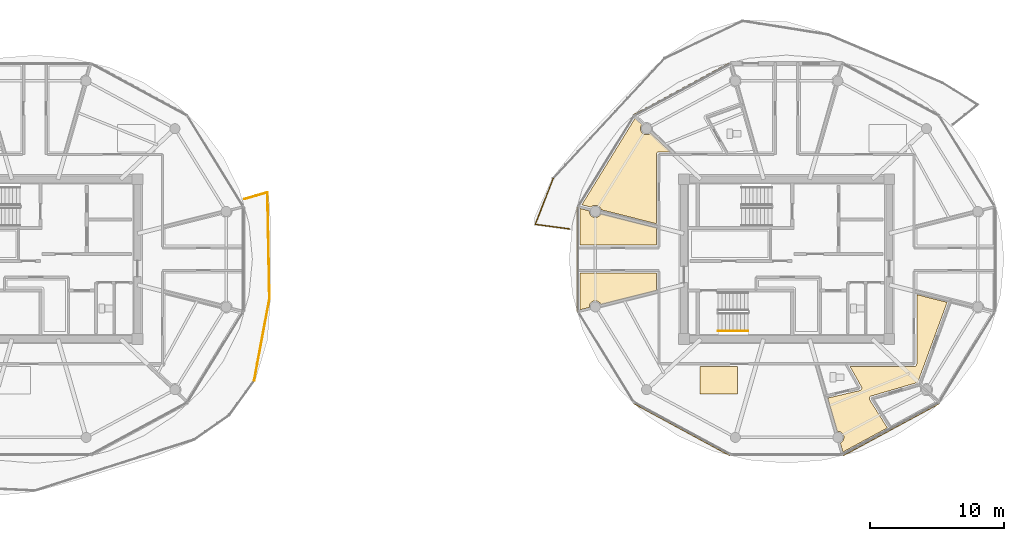
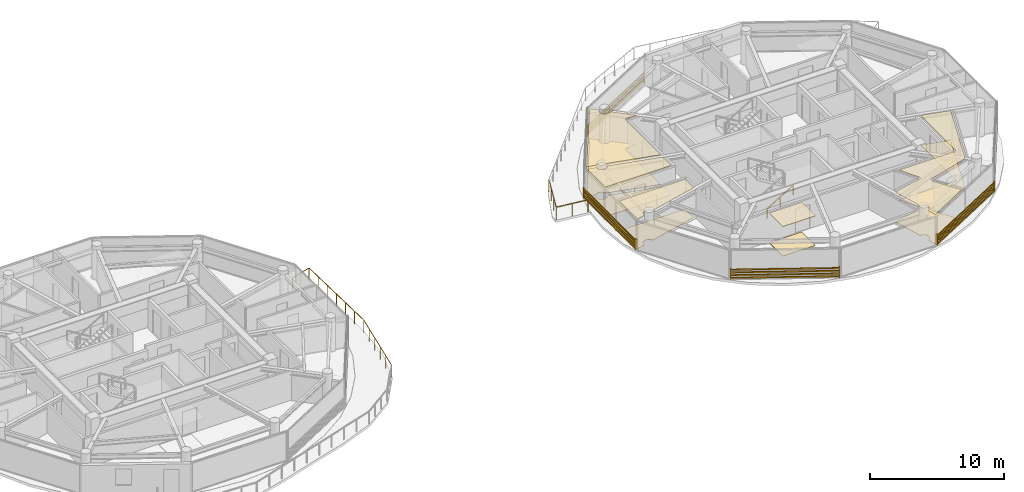
# One storey, part 18 of 21: 10 coverings, 4 shading devices, 3 railings.
"""IFC4 building model written with IfcOpenShell, lengths in metres."""

from ifc_helpers import new_model, si_unit, direction, frame, origin, origin_2d, place, context, subcontext, project, spatial, polyline, rectangle, outline, extrude, source, transform, mapped, material, layer, layer_set, type_object, type_shapes, element, save


model = new_model("IFC4")

# Units and contexts
model_context = context("Model", 3, precision=1e-05, world=origin(), true_north=direction((0.0, 1.0)))
body_context = subcontext(model_context, "Body", "Model", "MODEL_VIEW")
ifc_project = project(units=[si_unit("LENGTHUNIT", "METRE"), si_unit("AREAUNIT", "SQUARE_METRE"), si_unit("VOLUMEUNIT", "CUBIC_METRE"), si_unit("PLANEANGLEUNIT", "RADIAN"), si_unit("MASSUNIT", "GRAM", prefix="KILO")], contexts=[model_context])

# Site, building, storey
site_placement = place(None, origin())
site = spatial("IfcSite", under=ifc_project, at=site_placement, CompositionType="ELEMENT")
building_placement = place(site_placement, origin())
building = spatial("IfcBuilding", under=site, at=building_placement, Name="Norrkilde Senior Care Towers", CompositionType="ELEMENT")
storey_placement = place(building_placement, frame((0.0, 0.0, 241.35009765625)))
storey = spatial("IfcBuildingStorey", under=building, at=storey_placement, Name="L75", CompositionType="ELEMENT", Elevation=241.35009765625)

# Coverings
ifc_material_1 = material(Name="Nordic Ash Timber", Category="wood")
ifc_layer_1 = layer(ifc_material_1, 0.044921875)
ifc_layer_set_1 = layer_set([ifc_layer_1], Name="Nordic Ash Timber")
covering_type_1 = type_object("IfcCoveringType", Name="Acoustic Ash Timber Slatted Ceiling 45", PredefinedType="CEILING", material=ifc_layer_set_1)
covering_1_placement = place(storey_placement, frame((0.0, 0.0, 2.684814453125)))
element("IfcCovering", 1, at=covering_1_placement, inside=storey, type_object=covering_type_1, Name="L75 Suspended Ceiling 0481", PredefinedType="CEILING", context=body_context, shape_type="SweptSolid", body=[
    extrude(outline(polyline([(18.300048828125, -1.0400390625), (18.300048828125, -2.331298828125), (14.165771484375, -3.377685546875), (14.146728515625, -3.331298828125), (14.07421875, -3.237060546875), (13.97998046875, -3.164794921875), (13.870361328125, -3.119384765625), (13.752685546875, -3.103759765625), (13.634765625, -3.119384765625), (13.525146484375, -3.164794921875), (13.430908203125, -3.237060546875), (13.358642578125, -3.331298828125), (13.31298828125, -3.44091796875), (13.297607421875, -3.558837890625), (13.302490234375, -3.59619140625), (12.62646484375, -3.76708984375), (12.62646484375, -1.0400390625), (18.300048828125, -1.0400390625)])), origin(), (0.0, 0.0, 1.0), 0.045166015625),
])
covering_2_placement = place(storey_placement, frame((0.0, 0.0, 2.684814453125)))
element("IfcCovering", 2, at=covering_2_placement, inside=storey, type_object=covering_type_1, Name="L75 Suspended Ceiling 0482", PredefinedType="CEILING", context=body_context, shape_type="SweptSolid", body=[
    extrude(outline(polyline([(18.300048828125, 1.0400390625), (12.62646484375, 1.0400390625), (12.62646484375, 3.76708984375), (13.302490234375, 3.59619140625), (13.297607421875, 3.558837890625), (13.31298828125, 3.44091796875), (13.358642578125, 3.331298828125), (13.430908203125, 3.237060546875), (13.525146484375, 3.164794921875), (13.634765625, 3.119384765625), (13.752685546875, 3.103759765625), (13.870361328125, 3.119384765625), (13.97998046875, 3.164794921875), (14.07421875, 3.237060546875), (14.146728515625, 3.331298828125), (14.165771484375, 3.377685546875), (18.300048828125, 2.331298828125), (18.300048828125, 1.0400390625)])), origin(), (0.0, 0.0, 1.0), 0.045166015625),
])
covering_3_placement = place(storey_placement, frame((0.0, 0.0, 2.684814453125)))
element("IfcCovering", 3, at=covering_3_placement, inside=storey, type_object=covering_type_1, Name="L75 Suspended Ceiling 0490", PredefinedType="CEILING", context=body_context, shape_type="SweptSolid", body=[
    extrude(outline(polyline([(18.455322265625, 7.994873046875), (18.447509765625, 7.992919921875), (18.436279296875, 7.989501953125), (18.428955078125, 7.98681640625), (18.41796875, 7.982421875), (18.410888671875, 7.97900390625), (18.400634765625, 7.973388671875), (18.393798828125, 7.969482421875), (18.384033203125, 7.962890625), (18.377685546875, 7.958251953125), (18.36865234375, 7.95068359375), (18.36279296875, 7.945556640625), (18.3544921875, 7.937255859375), (18.34912109375, 7.931396484375), (18.341796875, 7.92236328125), (18.337158203125, 7.916015625), (18.33056640625, 7.90625), (18.326416015625, 7.8994140625), (18.321044921875, 7.888916015625), (18.317626953125, 7.8818359375), (18.31298828125, 7.87109375), (18.310546875, 7.86376953125), (18.30712890625, 7.852294921875), (18.30517578125, 7.8447265625), (18.302734375, 7.833251953125), (18.3017578125, 7.825439453125), (18.300537109375, 7.813720703125), (18.300048828125, 7.805908203125), (18.300048828125, 7.800048828125), (18.300048828125, 2.640625), (14.190185546875, 3.680908203125), (14.146728515625, 3.786376953125), (14.07421875, 3.880615234375), (13.97998046875, 3.952880859375), (13.870361328125, 3.998291015625), (13.752685546875, 4.013671875), (13.634765625, 3.998291015625), (13.525146484375, 3.952880859375), (13.430908203125, 3.880615234375), (13.426025390625, 3.874267578125), (12.74267578125, 4.04736328125), (16.71337890625, 10.495849609375), (17.224365234375, 10.01318359375), (17.176025390625, 9.9501953125), (17.130615234375, 9.840576171875), (17.115234375, 9.72265625), (17.130615234375, 9.60498046875), (17.176025390625, 9.4951171875), (17.24853515625, 9.40087890625), (17.3427734375, 9.32861328125), (17.452392578125, 9.283203125), (17.570068359375, 9.267822265625), (17.68798828125, 9.283203125), (17.797607421875, 9.32861328125), (17.88134765625, 9.392822265625), (19.355712890625, 8.0), (18.5, 8.0), (18.494140625, 7.999755859375), (18.486328125, 7.99951171875), (18.474609375, 7.998291015625), (18.466796875, 7.9970703125), (18.455322265625, 7.994873046875)])), origin(), (0.0, 0.0, 1.0), 0.045166015625),
])
covering_4_placement = place(storey_placement, frame((0.0, 0.0, 2.684814453125)))
element("IfcCovering", 4, at=covering_4_placement, inside=storey, type_object=covering_type_1, Name="L75 Suspended Ceiling 0491", PredefinedType="CEILING", context=body_context, shape_type="SweptSolid", body=[
    extrude(outline(polyline([(24.345703125, -10.033935546875), (21.545654296875, -10.033935546875), (21.545654296875, -8.0), (24.345703125, -8.0), (24.345703125, -10.033935546875)])), origin(), (0.0, 0.0, 1.0), 0.045166015625),
])
covering_5_placement = place(storey_placement, frame((0.0, 0.0, 2.684814453125)))
element("IfcCovering", 5, at=covering_5_placement, inside=storey, type_object=covering_type_1, Name="L75 Suspended Ceiling 0492", PredefinedType="CEILING", context=body_context, shape_type="SweptSolid", body=[
    extrude(outline(polyline([(33.498291015625, -9.7734375), (33.50439453125, -9.770263671875), (33.514404296875, -9.764404296875), (33.520263671875, -9.7607421875), (33.52978515625, -9.75390625), (33.53515625, -9.749755859375), (33.5439453125, -9.7421875), (33.548828125, -9.7373046875), (33.556884765625, -9.728759765625), (33.561279296875, -9.7236328125), (33.568603515625, -9.71435546875), (33.572509765625, -9.708740234375), (33.57861328125, -9.69873046875), (33.58203125, -9.69287109375), (33.587158203125, -9.682373046875), (33.58984375, -9.67626953125), (33.593994140625, -9.665283203125), (33.59619140625, -9.65869140625), (33.599365234375, -9.6474609375), (33.600830078125, -9.640869140625), (33.602783203125, -9.629150390625), (33.603515625, -9.62255859375), (33.6044921875, -9.61083984375), (33.6044921875, -9.60400390625), (33.604248046875, -9.59228515625), (33.603759765625, -9.58544921875), (33.602294921875, -9.57373046875), (33.601318359375, -9.567138671875), (33.5986328125, -9.5556640625), (33.596923828125, -9.549072265625), (33.59326171875, -9.5380859375), (33.5908203125, -9.531494140625), (33.5859375, -9.520751953125), (33.5830078125, -9.5146484375), (33.580078125, -9.509521484375), (32.72900390625, -8.0), (37.5, -8.0), (37.505859375, -7.999755859375), (37.513671875, -7.99951171875), (37.525390625, -7.998291015625), (37.533203125, -7.9970703125), (37.544677734375, -7.994873046875), (37.552490234375, -7.992919921875), (37.563720703125, -7.989501953125), (37.571044921875, -7.98681640625), (37.58203125, -7.982421875), (37.589111328125, -7.97900390625), (37.599365234375, -7.973388671875), (37.606201171875, -7.969482421875), (37.615966796875, -7.962890625), (37.622314453125, -7.958251953125), (37.63134765625, -7.95068359375), (37.63720703125, -7.945556640625), (37.6455078125, -7.937255859375), (37.65087890625, -7.931396484375), (37.658203125, -7.92236328125), (37.662841796875, -7.916015625), (37.66943359375, -7.90625), (37.673583984375, -7.8994140625), (37.678955078125, -7.888916015625), (37.682373046875, -7.8818359375), (37.68701171875, -7.87109375), (37.689453125, -7.86376953125), (37.69287109375, -7.852294921875), (37.69482421875, -7.8447265625), (37.697265625, -7.833251953125), (37.6982421875, -7.825439453125), (37.699462890625, -7.813720703125), (37.699951171875, -7.805908203125), (37.699951171875, -7.800048828125), (37.699951171875, -2.640625), (39.961669921875, -3.213134765625), (37.77587890625, -9.185302734375), (34.30224609375, -10.19775390625), (34.296630859375, -10.199462890625), (34.290283203125, -10.201904296875), (34.279296875, -10.2060546875), (34.273193359375, -10.208984375), (34.2626953125, -10.21435546875), (34.2568359375, -10.2177734375), (34.2470703125, -10.22412109375), (34.241455078125, -10.22802734375), (34.232421875, -10.2353515625), (34.227294921875, -10.239990234375), (34.218994140625, -10.248046875), (34.21435546875, -10.2529296875), (34.206787109375, -10.261962890625), (34.20263671875, -10.267333984375), (34.196044921875, -10.27685546875), (34.1923828125, -10.28271484375), (34.186767578125, -10.29296875), (34.18359375, -10.299072265625), (34.178955078125, -10.309814453125), (34.176513671875, -10.316162109375), (34.1728515625, -10.3271484375), (34.171142578125, -10.333740234375), (34.168701171875, -10.34521484375), (34.16748046875, -10.351806640625), (34.166259765625, -10.363525390625), (34.165771484375, -10.370361328125), (34.16552734375, -10.382080078125), (34.16552734375, -10.388916015625), (34.16650390625, -10.400390625), (34.167236328125, -10.4072265625), (34.16943359375, -10.418701171875), (34.1708984375, -10.42529296875), (34.174072265625, -10.4365234375), (34.176025390625, -10.443115234375), (34.180419921875, -10.453857421875), (34.18310546875, -10.460205078125), (34.188232421875, -10.470703125), (34.191650390625, -10.4765625), (34.194580078125, -10.481689453125), (35.51318359375, -12.5712890625), (32.19970703125, -14.364990234375), (32.008544921875, -13.690673828125), (32.045166015625, -13.675537109375), (32.139404296875, -13.603271484375), (32.211669921875, -13.509033203125), (32.257080078125, -13.399169921875), (32.2724609375, -13.281494140625), (32.257080078125, -13.163818359375), (32.211669921875, -13.053955078125), (32.139404296875, -12.959716796875), (32.045166015625, -12.887451171875), (31.935302734375, -12.842041015625), (31.817626953125, -12.826416015625), (31.76513671875, -12.833251953125), (31.060546875, -10.34912109375), (33.4580078125, -9.787841796875), (33.463623046875, -9.786376953125), (33.47021484375, -9.78466796875), (33.481201171875, -9.78076171875), (33.487548828125, -9.7783203125), (33.498291015625, -9.7734375)])), origin(), (0.0, 0.0, 1.0), 0.045166015625),
])

# Railings
ifc_material_2 = material(Name="Anodised Aluminium", Category="aluminium")
railing_type_1 = type_object("IfcRailingType", Name="Balcony Swirl Ribbon Guardrail 1150", PredefinedType="GUARDRAIL", material=ifc_material_2)
railing_1_placement = place(storey_placement, frame((11.8291015625, 2.2509765625, 0.0)))
element("IfcRailing", 6, at=railing_1_placement, inside=storey, type_object=railing_type_1, Name="L75 Perimeter Safety Guard 02", PredefinedType="GUARDRAIL", context=body_context, shape_type="SweptSolid", body=[
    extrude(rectangle(XDim=0.048095703125, YDim=0.048095703125, at=origin_2d()), frame((0.0, 0.0, 1.1259765625), z_axis=(-0.991111497741, 0.133033826695, 0.0), x_axis=(-0.133033826695, -0.991111497741, 0.0)), (0.0, 0.0, 1.0), 2.531982421875),
    extrude(rectangle(XDim=0.048095703125, YDim=0.048095703125, at=origin_2d()), frame((-2.53515625, 0.38037109375, 1.1259765625), z_axis=(0.363691332788, 0.931519519095, 0.0), x_axis=(-0.931519519095, 0.363691332788, 0.0)), (0.0, 0.0, 1.0), 3.63916015625),
    extrude(rectangle(XDim=0.0419921875, YDim=0.0419921875, at=origin_2d()), origin(), (0.0, 0.0, 1.0), 1.099853515625),
    extrude(rectangle(XDim=0.0419921875, YDim=0.0419921875, at=origin_2d()), frame((-1.27490234375, 0.171142578125, 0.0)), (0.0, 0.0, 1.0), 1.099853515625),
    extrude(rectangle(XDim=0.0419921875, YDim=0.0419921875, at=origin_2d()), frame((-2.550048828125, 0.34228515625, 0.0)), (0.0, 0.0, 1.0), 1.099853515625),
    extrude(rectangle(XDim=0.0419921875, YDim=0.0419921875, at=origin_2d()), frame((-2.10400390625, 1.48486328125, 0.0)), (0.0, 0.0, 1.0), 1.099853515625),
    extrude(rectangle(XDim=0.0419921875, YDim=0.0419921875, at=origin_2d()), frame((-1.65771484375, 2.627685546875, 0.0)), (0.0, 0.0, 1.0), 1.099853515625),
    extrude(rectangle(XDim=0.0419921875, YDim=0.0419921875, at=origin_2d()), frame((-1.211669921875, 3.770263671875, 0.0)), (0.0, 0.0, 1.0), 1.099853515625),
])
railing_2_placement = place(storey_placement, frame((-12.38330078125, 4.47607421875, 0.0)))
element("IfcRailing", 7, at=railing_2_placement, inside=storey, type_object=railing_type_1, Name="L75 Perimeter Safety Guard 04", PredefinedType="GUARDRAIL", context=body_context, shape_type="SweptSolid", body=[
    extrude(rectangle(XDim=0.048095703125, YDim=0.048095703125, at=origin_2d()), frame((0.0, 0.0, 1.1259765625), z_axis=(0.959918523405, 0.280279197273, 0.0), x_axis=(-0.280279197273, 0.959918523405, 0.0)), (0.0, 0.0, 1.0), 1.73876953125),
    extrude(rectangle(XDim=0.048095703125, YDim=0.048095703125, at=origin_2d()), frame((1.708984375, 0.4580078125, 1.1259765625), z_axis=(0.018665553706, -0.999825783377, 0.0), x_axis=(0.999825783377, 0.018665553706, 0.0)), (0.0, 0.0, 1.0), 7.83154296875),
    extrude(rectangle(XDim=0.048095703125, YDim=0.048095703125, at=origin_2d()), frame((1.848388671875, -7.453369140625, 1.1259765625), z_axis=(-0.183030116097, -0.983107306758, 0.0), x_axis=(0.983107306758, -0.183030116097, 0.0)), (0.0, 0.0, 1.0), 6.15625),
    extrude(rectangle(XDim=0.0419921875, YDim=0.0419921875, at=origin_2d()), origin(), (0.0, 0.0, 1.0), 1.099853515625),
    extrude(rectangle(XDim=0.0419921875, YDim=0.0419921875, at=origin_2d()), frame((0.85400390625, 0.24951171875, 0.0)), (0.0, 0.0, 1.0), 1.099853515625),
    extrude(rectangle(XDim=0.0419921875, YDim=0.0419921875, at=origin_2d()), frame((1.708251953125, 0.498779296875, 0.0)), (0.0, 0.0, 1.0), 1.099853515625),
    extrude(rectangle(XDim=0.0419921875, YDim=0.0419921875, at=origin_2d()), frame((1.73291015625, -0.81982421875, 0.0)), (0.0, 0.0, 1.0), 1.099853515625),
    extrude(rectangle(XDim=0.0419921875, YDim=0.0419921875, at=origin_2d()), frame((1.757568359375, -2.138427734375, 0.0)), (0.0, 0.0, 1.0), 1.099853515625),
    extrude(rectangle(XDim=0.0419921875, YDim=0.0419921875, at=origin_2d()), frame((1.7822265625, -3.45703125, 0.0)), (0.0, 0.0, 1.0), 1.099853515625),
    extrude(rectangle(XDim=0.0419921875, YDim=0.0419921875, at=origin_2d()), frame((1.806640625, -4.77587890625, 0.0)), (0.0, 0.0, 1.0), 1.099853515625),
    extrude(rectangle(XDim=0.0419921875, YDim=0.0419921875, at=origin_2d()), frame((1.831298828125, -6.094482421875, 0.0)), (0.0, 0.0, 1.0), 1.099853515625),
    extrude(rectangle(XDim=0.0419921875, YDim=0.0419921875, at=origin_2d()), frame((1.85595703125, -7.4130859375, 0.0)), (0.0, 0.0, 1.0), 1.099853515625),
    extrude(rectangle(XDim=0.0419921875, YDim=0.0419921875, at=origin_2d()), frame((1.629150390625, -8.631591796875, 0.0)), (0.0, 0.0, 1.0), 1.099853515625),
    extrude(rectangle(XDim=0.0419921875, YDim=0.0419921875, at=origin_2d()), frame((1.40234375, -9.85009765625, 0.0)), (0.0, 0.0, 1.0), 1.099853515625),
    extrude(rectangle(XDim=0.0419921875, YDim=0.0419921875, at=origin_2d()), frame((1.17529296875, -11.068603515625, 0.0)), (0.0, 0.0, 1.0), 1.099853515625),
    extrude(rectangle(XDim=0.0419921875, YDim=0.0419921875, at=origin_2d()), frame((0.948486328125, -12.287109375, 0.0)), (0.0, 0.0, 1.0), 1.099853515625),
    extrude(rectangle(XDim=0.0419921875, YDim=0.0419921875, at=origin_2d()), frame((0.7216796875, -13.505615234375, 0.0)), (0.0, 0.0, 1.0), 1.099853515625),
])

# Coverings
ifc_material_3 = material(Name="Slip-Resistant Porcelain Stone", Category="masonry")
ifc_layer_2 = layer(ifc_material_3, 0.02490234375)
ifc_layer_set_2 = layer_set([ifc_layer_2], Name="Slip-Resistant Porcelain Stone")
covering_type_2 = type_object("IfcCoveringType", Name="Slip-Resistant Porcelain Flooring 25", PredefinedType="FLOORING", material=ifc_layer_set_2)
covering_6_placement = place(storey_placement, origin())
element("IfcCovering", 8, at=covering_6_placement, inside=storey, type_object=covering_type_2, Name="L75 Floor Finish 0481", PredefinedType="FLOORING", context=body_context, shape_type="SweptSolid", body=[
    extrude(outline(polyline([(18.300048828125, -1.0400390625), (18.300048828125, -2.331298828125), (14.165771484375, -3.377685546875), (14.146728515625, -3.331298828125), (14.07421875, -3.237060546875), (13.97998046875, -3.164794921875), (13.870361328125, -3.119384765625), (13.752685546875, -3.103759765625), (13.634765625, -3.119384765625), (13.525146484375, -3.164794921875), (13.430908203125, -3.237060546875), (13.358642578125, -3.331298828125), (13.31298828125, -3.44091796875), (13.297607421875, -3.558837890625), (13.302490234375, -3.59619140625), (12.62646484375, -3.76708984375), (12.62646484375, -1.0400390625), (18.300048828125, -1.0400390625)])), origin(), (0.0, 0.0, 1.0), 0.02490234375),
])
covering_7_placement = place(storey_placement, origin())
element("IfcCovering", 9, at=covering_7_placement, inside=storey, type_object=covering_type_2, Name="L75 Floor Finish 0482", PredefinedType="FLOORING", context=body_context, shape_type="SweptSolid", body=[
    extrude(outline(polyline([(18.300048828125, 1.0400390625), (12.62646484375, 1.0400390625), (12.62646484375, 3.76708984375), (13.302490234375, 3.59619140625), (13.297607421875, 3.558837890625), (13.31298828125, 3.44091796875), (13.358642578125, 3.331298828125), (13.430908203125, 3.237060546875), (13.525146484375, 3.164794921875), (13.634765625, 3.119384765625), (13.752685546875, 3.103759765625), (13.870361328125, 3.119384765625), (13.97998046875, 3.164794921875), (14.07421875, 3.237060546875), (14.146728515625, 3.331298828125), (14.165771484375, 3.377685546875), (18.300048828125, 2.331298828125), (18.300048828125, 1.0400390625)])), origin(), (0.0, 0.0, 1.0), 0.02490234375),
])
covering_8_placement = place(storey_placement, origin())
element("IfcCovering", 10, at=covering_8_placement, inside=storey, type_object=covering_type_2, Name="L75 Floor Finish 0490", PredefinedType="FLOORING", context=body_context, shape_type="SweptSolid", body=[
    extrude(outline(polyline([(18.455322265625, 7.994873046875), (18.447509765625, 7.992919921875), (18.436279296875, 7.989501953125), (18.428955078125, 7.98681640625), (18.41796875, 7.982421875), (18.410888671875, 7.97900390625), (18.400634765625, 7.973388671875), (18.393798828125, 7.969482421875), (18.384033203125, 7.962890625), (18.377685546875, 7.958251953125), (18.36865234375, 7.95068359375), (18.36279296875, 7.945556640625), (18.3544921875, 7.937255859375), (18.34912109375, 7.931396484375), (18.341796875, 7.92236328125), (18.337158203125, 7.916015625), (18.33056640625, 7.90625), (18.326416015625, 7.8994140625), (18.321044921875, 7.888916015625), (18.317626953125, 7.8818359375), (18.31298828125, 7.87109375), (18.310546875, 7.86376953125), (18.30712890625, 7.852294921875), (18.30517578125, 7.8447265625), (18.302734375, 7.833251953125), (18.3017578125, 7.825439453125), (18.300537109375, 7.813720703125), (18.300048828125, 7.805908203125), (18.300048828125, 7.800048828125), (18.300048828125, 2.640625), (14.190185546875, 3.680908203125), (14.146728515625, 3.786376953125), (14.07421875, 3.880615234375), (13.97998046875, 3.952880859375), (13.870361328125, 3.998291015625), (13.752685546875, 4.013671875), (13.634765625, 3.998291015625), (13.525146484375, 3.952880859375), (13.430908203125, 3.880615234375), (13.426025390625, 3.874267578125), (12.74267578125, 4.04736328125), (16.71337890625, 10.495849609375), (17.224365234375, 10.01318359375), (17.176025390625, 9.9501953125), (17.130615234375, 9.840576171875), (17.115234375, 9.72265625), (17.130615234375, 9.60498046875), (17.176025390625, 9.4951171875), (17.24853515625, 9.40087890625), (17.3427734375, 9.32861328125), (17.452392578125, 9.283203125), (17.570068359375, 9.267822265625), (17.68798828125, 9.283203125), (17.797607421875, 9.32861328125), (17.88134765625, 9.392822265625), (19.355712890625, 8.0), (18.5, 8.0), (18.494140625, 7.999755859375), (18.486328125, 7.99951171875), (18.474609375, 7.998291015625), (18.466796875, 7.9970703125), (18.455322265625, 7.994873046875)])), origin(), (0.0, 0.0, 1.0), 0.02490234375),
])
covering_9_placement = place(storey_placement, origin())
element("IfcCovering", 11, at=covering_9_placement, inside=storey, type_object=covering_type_2, Name="L75 Floor Finish 0491", PredefinedType="FLOORING", context=body_context, shape_type="SweptSolid", body=[
    extrude(outline(polyline([(24.345703125, -10.033935546875), (21.545654296875, -10.033935546875), (21.545654296875, -8.0), (24.345703125, -8.0), (24.345703125, -10.033935546875)])), origin(), (0.0, 0.0, 1.0), 0.02490234375),
])
covering_10_placement = place(storey_placement, origin())
element("IfcCovering", 12, at=covering_10_placement, inside=storey, type_object=covering_type_2, Name="L75 Floor Finish 0492", PredefinedType="FLOORING", context=body_context, shape_type="SweptSolid", body=[
    extrude(outline(polyline([(33.498291015625, -9.7734375), (33.50439453125, -9.770263671875), (33.514404296875, -9.764404296875), (33.520263671875, -9.7607421875), (33.52978515625, -9.75390625), (33.53515625, -9.749755859375), (33.5439453125, -9.7421875), (33.548828125, -9.7373046875), (33.556884765625, -9.728759765625), (33.561279296875, -9.7236328125), (33.568603515625, -9.71435546875), (33.572509765625, -9.708740234375), (33.57861328125, -9.69873046875), (33.58203125, -9.69287109375), (33.587158203125, -9.682373046875), (33.58984375, -9.67626953125), (33.593994140625, -9.665283203125), (33.59619140625, -9.65869140625), (33.599365234375, -9.6474609375), (33.600830078125, -9.640869140625), (33.602783203125, -9.629150390625), (33.603515625, -9.62255859375), (33.6044921875, -9.61083984375), (33.6044921875, -9.60400390625), (33.604248046875, -9.59228515625), (33.603759765625, -9.58544921875), (33.602294921875, -9.57373046875), (33.601318359375, -9.567138671875), (33.5986328125, -9.5556640625), (33.596923828125, -9.549072265625), (33.59326171875, -9.5380859375), (33.5908203125, -9.531494140625), (33.5859375, -9.520751953125), (33.5830078125, -9.5146484375), (33.580078125, -9.509521484375), (32.72900390625, -8.0), (37.5, -8.0), (37.505859375, -7.999755859375), (37.513671875, -7.99951171875), (37.525390625, -7.998291015625), (37.533203125, -7.9970703125), (37.544677734375, -7.994873046875), (37.552490234375, -7.992919921875), (37.563720703125, -7.989501953125), (37.571044921875, -7.98681640625), (37.58203125, -7.982421875), (37.589111328125, -7.97900390625), (37.599365234375, -7.973388671875), (37.606201171875, -7.969482421875), (37.615966796875, -7.962890625), (37.622314453125, -7.958251953125), (37.63134765625, -7.95068359375), (37.63720703125, -7.945556640625), (37.6455078125, -7.937255859375), (37.65087890625, -7.931396484375), (37.658203125, -7.92236328125), (37.662841796875, -7.916015625), (37.66943359375, -7.90625), (37.673583984375, -7.8994140625), (37.678955078125, -7.888916015625), (37.682373046875, -7.8818359375), (37.68701171875, -7.87109375), (37.689453125, -7.86376953125), (37.69287109375, -7.852294921875), (37.69482421875, -7.8447265625), (37.697265625, -7.833251953125), (37.6982421875, -7.825439453125), (37.699462890625, -7.813720703125), (37.699951171875, -7.805908203125), (37.699951171875, -7.800048828125), (37.699951171875, -2.640625), (39.961669921875, -3.213134765625), (37.77587890625, -9.185302734375), (34.30224609375, -10.19775390625), (34.296630859375, -10.199462890625), (34.290283203125, -10.201904296875), (34.279296875, -10.2060546875), (34.273193359375, -10.208984375), (34.2626953125, -10.21435546875), (34.2568359375, -10.2177734375), (34.2470703125, -10.22412109375), (34.241455078125, -10.22802734375), (34.232421875, -10.2353515625), (34.227294921875, -10.239990234375), (34.218994140625, -10.248046875), (34.21435546875, -10.2529296875), (34.206787109375, -10.261962890625), (34.20263671875, -10.267333984375), (34.196044921875, -10.27685546875), (34.1923828125, -10.28271484375), (34.186767578125, -10.29296875), (34.18359375, -10.299072265625), (34.178955078125, -10.309814453125), (34.176513671875, -10.316162109375), (34.1728515625, -10.3271484375), (34.171142578125, -10.333740234375), (34.168701171875, -10.34521484375), (34.16748046875, -10.351806640625), (34.166259765625, -10.363525390625), (34.165771484375, -10.370361328125), (34.16552734375, -10.382080078125), (34.16552734375, -10.388916015625), (34.16650390625, -10.400390625), (34.167236328125, -10.4072265625), (34.16943359375, -10.418701171875), (34.1708984375, -10.42529296875), (34.174072265625, -10.4365234375), (34.176025390625, -10.443115234375), (34.180419921875, -10.453857421875), (34.18310546875, -10.460205078125), (34.188232421875, -10.470703125), (34.191650390625, -10.4765625), (34.194580078125, -10.481689453125), (35.51318359375, -12.5712890625), (32.19970703125, -14.364990234375), (32.008544921875, -13.690673828125), (32.045166015625, -13.675537109375), (32.139404296875, -13.603271484375), (32.211669921875, -13.509033203125), (32.257080078125, -13.399169921875), (32.2724609375, -13.281494140625), (32.257080078125, -13.163818359375), (32.211669921875, -13.053955078125), (32.139404296875, -12.959716796875), (32.045166015625, -12.887451171875), (31.935302734375, -12.842041015625), (31.817626953125, -12.826416015625), (31.76513671875, -12.833251953125), (31.060546875, -10.34912109375), (33.4580078125, -9.787841796875), (33.463623046875, -9.786376953125), (33.47021484375, -9.78466796875), (33.481201171875, -9.78076171875), (33.487548828125, -9.7783203125), (33.498291015625, -9.7734375)])), origin(), (0.0, 0.0, 1.0), 0.02490234375),
])

# Railing
railing_type_2 = type_object("IfcRailingType", Name="Wall and Stair Handrail 900", PredefinedType="HANDRAIL", material=ifc_material_1)
railing_3_placement = place(storey_placement, frame((22.89990234375, -5.35009765625, 0.16943359375)))
element("IfcRailing", 13, at=railing_3_placement, inside=storey, type_object=railing_type_2, Name="L75 ST-E2 stair handrail 1", PredefinedType="HANDRAIL", context=body_context, shape_type="SweptSolid", body=[
    extrude(rectangle(XDim=0.048095703125, YDim=0.048095703125, at=origin_2d()), frame((0.0, 0.0, 0.8759765625), z_axis=(0.855553338991, 0.0, 0.51771467445), x_axis=(0.0, 1.0, 0.0)), (0.0, 0.0, 1.0), 2.6181640625),
    extrude(rectangle(XDim=0.0419921875, YDim=0.0419921875, at=origin_2d()), origin(), (0.0, 0.0, 1.0), 0.849853515625),
    extrude(rectangle(XDim=0.0419921875, YDim=0.0419921875, at=origin_2d()), frame((1.1201171875, 0.0, 0.677734375)), (0.0, 0.0, 1.0), 0.849853515625),
    extrude(rectangle(XDim=0.0419921875, YDim=0.0419921875, at=origin_2d()), frame((2.239990234375, 0.0, 1.35546875)), (0.0, 0.0, 1.0), 0.849853515625),
])

# Shading devices
ifc_material_4 = material(Name="Architectural Terracotta", Category="masonry")
shading_device_type = type_object("IfcShadingDeviceType", Name="Horizontal Terracotta Baguette Rack", PredefinedType="USERDEFINED", material=ifc_material_4)
shared_shape_1 = source(origin(), body_context, "Body", "SweptSolid", [
    extrude(rectangle(XDim=0.070068359375, YDim=0.110107421875, at=origin_2d()), frame((0.0, 0.090087890625, 0.125), z_axis=(1.0, 0.0, 0.0), x_axis=(0.0, 1.0, 0.0)), (0.0, 0.0, 1.0), 8.197265625),
    extrude(rectangle(XDim=0.070068359375, YDim=0.110107421875, at=origin_2d()), frame((0.0, 0.090087890625, 0.375), z_axis=(1.0, 0.0, 0.0), x_axis=(0.0, 1.0, 0.0)), (0.0, 0.0, 1.0), 8.197265625),
    extrude(rectangle(XDim=0.070068359375, YDim=0.110107421875, at=origin_2d()), frame((0.0, 0.090087890625, 0.625), z_axis=(1.0, 0.0, 0.0), x_axis=(0.0, 1.0, 0.0)), (0.0, 0.0, 1.0), 8.197265625),
    extrude(rectangle(XDim=0.070068359375, YDim=0.110107421875, at=origin_2d()), frame((0.0, 0.090087890625, 0.875), z_axis=(1.0, 0.0, 0.0), x_axis=(0.0, 1.0, 0.0)), (0.0, 0.0, 1.0), 8.197265625),
    extrude(rectangle(XDim=0.050048828125, YDim=0.1552734375, at=origin_2d()), frame((0.02490234375, 0.047607421875, 0.0)), (0.0, 0.0, 1.0), 1.0),
    extrude(rectangle(XDim=0.050048828125, YDim=0.1552734375, at=origin_2d()), frame((8.17236328125, 0.047607421875, 0.0)), (0.0, 0.0, 1.0), 1.0),
])
for number, where, z_axis, x_axis, name in (
    (14, (16.629638671875, 10.6630859375, 0.079833984375), (0.0, 0.0, 1.0), (0.879378127234, 0.476143674053, 0.0), "L75 Drum E Terracotta Baguette Screen 03"),
    (15, (23.838134765625, -14.566162109375, 0.079833984375), (0.0, 0.0, 1.0), (-0.879378127234, 0.476143674053, 0.0), "L75 Drum E Terracotta Baguette Screen 07"),
    (16, (39.370361328125, -10.6630859375, 0.079833984375), (0.0, 0.0, 1.0), (-0.879378127234, -0.476143674053, 0.0), "L75 Drum E Terracotta Baguette Screen 09"),
):
    element("IfcShadingDevice", number, at=place(storey_placement, frame(where, z_axis=z_axis, x_axis=x_axis)), inside=storey, type_object=shading_device_type, Name=name, ObjectType="BAGUETTE", PredefinedType="USERDEFINED", context=body_context, shape_type="MappedRepresentation", body=[
        mapped(shared_shape_1, transform((0.0, 0.0, 0.0), x_axis=(1.0, 0.0, 0.0), y_axis=(0.0, 1.0, 0.0), z_axis=(0.0, 0.0, 1.0), scale=1.0)),
    ])
shared_shape_2 = source(origin(), body_context, "Body", "SweptSolid", [
    extrude(rectangle(XDim=0.070068359375, YDim=0.110107421875, at=origin_2d()), frame((0.0, 0.090087890625, 0.125), z_axis=(1.0, 0.0, 0.0), x_axis=(0.0, 1.0, 0.0)), (0.0, 0.0, 1.0), 7.80615234375),
    extrude(rectangle(XDim=0.070068359375, YDim=0.110107421875, at=origin_2d()), frame((0.0, 0.090087890625, 0.375), z_axis=(1.0, 0.0, 0.0), x_axis=(0.0, 1.0, 0.0)), (0.0, 0.0, 1.0), 7.80615234375),
    extrude(rectangle(XDim=0.070068359375, YDim=0.110107421875, at=origin_2d()), frame((0.0, 0.090087890625, 0.625), z_axis=(1.0, 0.0, 0.0), x_axis=(0.0, 1.0, 0.0)), (0.0, 0.0, 1.0), 7.80615234375),
    extrude(rectangle(XDim=0.070068359375, YDim=0.110107421875, at=origin_2d()), frame((0.0, 0.090087890625, 0.875), z_axis=(1.0, 0.0, 0.0), x_axis=(0.0, 1.0, 0.0)), (0.0, 0.0, 1.0), 7.80615234375),
    extrude(rectangle(XDim=0.050048828125, YDim=0.1552734375, at=origin_2d()), frame((0.02490234375, 0.047607421875, 0.0)), (0.0, 0.0, 1.0), 1.0),
    extrude(rectangle(XDim=0.050048828125, YDim=0.1552734375, at=origin_2d()), frame((7.78125, 0.047607421875, 0.0)), (0.0, 0.0, 1.0), 1.0),
])
type_shapes(shading_device_type, [shared_shape_1, shared_shape_2])
shading_device_placement = place(storey_placement, frame((12.468017578125, -3.903076171875, 0.079833984375), z_axis=(0.0, 0.0, 1.0), x_axis=(0.0, 1.0, 0.0)))
element("IfcShadingDevice", 17, at=shading_device_placement, inside=storey, type_object=shading_device_type, Name="L75 Drum E Terracotta Baguette Screen 05", ObjectType="BAGUETTE", PredefinedType="USERDEFINED", context=body_context, shape_type="MappedRepresentation", body=[
    mapped(shared_shape_2, transform((0.0, 0.0, 0.0), x_axis=(1.0, 0.0, 0.0), y_axis=(0.0, 1.0, 0.0), z_axis=(0.0, 0.0, 1.0), scale=1.0)),
])

save(model, "model.ifc")
